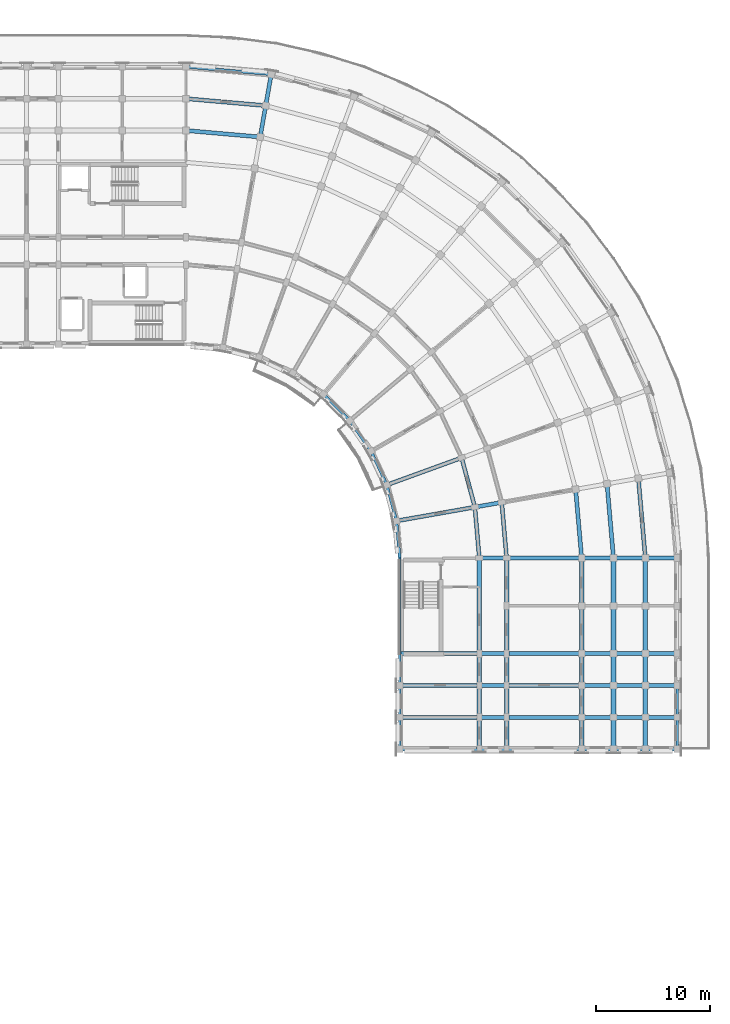
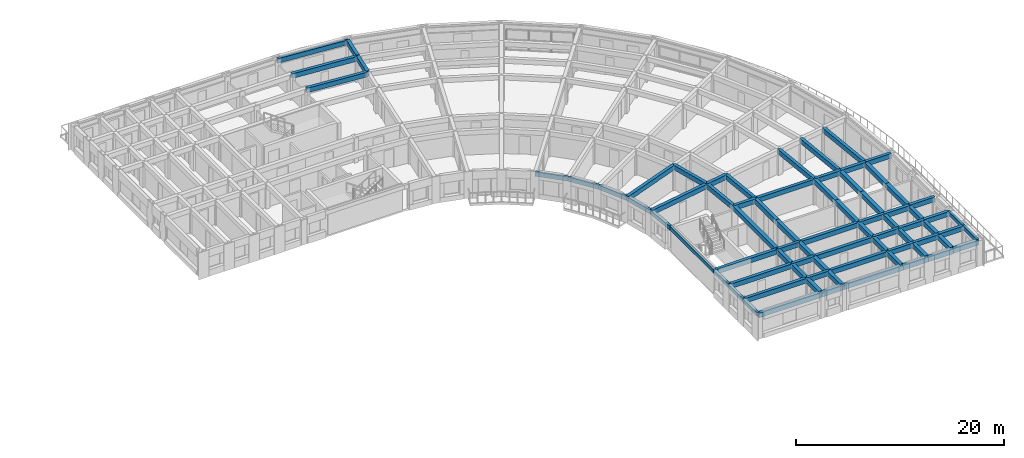
# One storey, part 9 of 53: 78 beams.
"""IFC4 building model written with IfcOpenShell, lengths in metres."""

from ifc_helpers import new_model, si_unit, direction, frame, origin, origin_2d, place, context, subcontext, project, spatial, rectangle, extrude, material, material_profile, profile_set, type_object, element, save


model = new_model("IFC4")

# Units and contexts
model_context = context("Model", 3, precision=1e-05, world=origin(), true_north=direction((0.0, 1.0)))
body_context = subcontext(model_context, "Body", "Model", "MODEL_VIEW")
ifc_project = project(units=[si_unit("LENGTHUNIT", "METRE"), si_unit("AREAUNIT", "SQUARE_METRE"), si_unit("VOLUMEUNIT", "CUBIC_METRE"), si_unit("PLANEANGLEUNIT", "RADIAN"), si_unit("MASSUNIT", "GRAM", prefix="KILO")], contexts=[model_context])

# Site, building, storey
site_placement = place(None, origin())
site = spatial("IfcSite", under=ifc_project, at=site_placement, CompositionType="ELEMENT")
building_placement = place(site_placement, origin())
building = spatial("IfcBuilding", under=site, at=building_placement, Name="Kiranvali Square Residences", CompositionType="ELEMENT")
storey_placement = place(building_placement, frame((0.0, 0.0, 30.75)))
storey = spatial("IfcBuildingStorey", under=building, at=storey_placement, Name="L09", CompositionType="ELEMENT", Elevation=30.75)

# Beams
ifc_material_1 = material(Name="Concrete M40 (40 MPa)", Category="concrete")
ifc_material_profile_1 = material_profile(ifc_material_1, rectangle(XDim=0.35009765625, YDim=0.550048828125, at=origin_2d()), Name="RC 350x550")
ifc_profile_set_1 = profile_set([ifc_material_profile_1], Name="Concrete M40 (40 MPa)")
beam_type_1 = type_object("IfcBeamType", Name="BM-M40-350x550", PredefinedType="BEAM", material=ifc_profile_set_1)
beam_1_placement = place(storey_placement, frame((119.800048828125, 125.39990234375, 2.655029296875), z_axis=(0.996196991902, -0.0871295204, 0.0), x_axis=(0.0871295204, 0.996196991902, 0.0)))
element("IfcBeam", 1, at=beam_1_placement, inside=storey, type_object=beam_type_1, Name="L09 beam BM-B-L09-C00-R4", PredefinedType="BEAM", context=body_context, shape_type="SweptSolid", body=[
    extrude(rectangle(XDim=0.35009765625, YDim=0.550048828125, at=origin_2d()), origin(), (0.0, 0.0, 1.0), 6.553955078125),
])
beam_2_placement = place(storey_placement, frame((119.800048828125, 128.199951171875, 2.655029296875), z_axis=(0.996194658198, -0.087156198737, 0.0), x_axis=(0.087156198737, 0.996194658198, 0.0)))
element("IfcBeam", 2, at=beam_2_placement, inside=storey, type_object=beam_type_1, Name="L09 beam BM-B-L09-C00-R5", PredefinedType="BEAM", context=body_context, shape_type="SweptSolid", body=[
    extrude(rectangle(XDim=0.35009765625, YDim=0.550048828125, at=origin_2d()), origin(), (0.0, 0.0, 1.0), 7.042236328125),
])
beam_3_placement = place(storey_placement, frame((144.044189453125, 96.6240234375, 2.655029296875), z_axis=(0.258787642463, -0.965934240054, 0.0), x_axis=(0.965934240054, 0.258787642463, 0.0)))
element("IfcBeam", 3, at=beam_3_placement, inside=storey, type_object=beam_type_1, Name="L09 beam BM-B-L09-C07-R1", PredefinedType="BEAM", context=body_context, shape_type="SweptSolid", body=[
    extrude(rectangle(XDim=0.35009765625, YDim=0.550048828125, at=origin_2d()), origin(), (0.0, 0.0, 1.0), 4.497314453125),
])
beam_4_placement = place(storey_placement, frame((145.2080078125, 92.280029296875, 2.655029296875), z_axis=(0.087187153726, -0.996191949488, 0.0), x_axis=(0.996191949488, 0.087187153726, 0.0)))
element("IfcBeam", 4, at=beam_4_placement, inside=storey, type_object=beam_type_1, Name="L09 beam BM-B-L09-C08-R1", PredefinedType="BEAM", context=body_context, shape_type="SweptSolid", body=[
    extrude(rectangle(XDim=0.35009765625, YDim=0.550048828125, at=origin_2d()), origin(), (0.0, 0.0, 1.0), 4.4970703125),
])
beam_5_placement = place(storey_placement, frame((147.571533203125, 92.69677734375, 2.655029296875), z_axis=(0.087167566415, -0.996193663584, 0.0), x_axis=(0.996193663584, 0.087167566415, 0.0)))
element("IfcBeam", 5, at=beam_5_placement, inside=storey, type_object=beam_type_1, Name="L09 beam BM-B-L09-C08-R2", PredefinedType="BEAM", context=body_context, shape_type="SweptSolid", body=[
    extrude(rectangle(XDim=0.35009765625, YDim=0.550048828125, at=origin_2d()), origin(), (0.0, 0.0, 1.0), 4.91552734375),
])
beam_6_placement = place(storey_placement, frame((154.0712890625, 93.843017578125, 2.655029296875), z_axis=(0.087174938512, -0.996193018494, 0.0), x_axis=(0.996193018494, 0.087174938512, 0.0)))
element("IfcBeam", 6, at=beam_6_placement, inside=storey, type_object=beam_type_1, Name="L09 beam BM-B-L09-C08-R3", PredefinedType="BEAM", context=body_context, shape_type="SweptSolid", body=[
    extrude(rectangle(XDim=0.35009765625, YDim=0.550048828125, at=origin_2d()), origin(), (0.0, 0.0, 1.0), 6.066162109375),
])
beam_7_placement = place(storey_placement, frame((156.828857421875, 94.3291015625, 2.655029296875), z_axis=(0.0871295204, -0.996196991902, 0.0), x_axis=(0.996196991902, 0.0871295204, 0.0)))
element("IfcBeam", 7, at=beam_7_placement, inside=storey, type_object=beam_type_1, Name="L09 beam BM-B-L09-C08-R4", PredefinedType="BEAM", context=body_context, shape_type="SweptSolid", body=[
    extrude(rectangle(XDim=0.35009765625, YDim=0.550048828125, at=origin_2d()), origin(), (0.0, 0.0, 1.0), 6.553955078125),
])
beam_8_placement = place(storey_placement, frame((159.586181640625, 94.8154296875, 2.655029296875), z_axis=(0.087156198737, -0.996194658198, 0.0), x_axis=(0.996194658198, 0.087156198737, 0.0)))
element("IfcBeam", 8, at=beam_8_placement, inside=storey, type_object=beam_type_1, Name="L09 beam BM-B-L09-C08-R5", PredefinedType="BEAM", context=body_context, shape_type="SweptSolid", body=[
    extrude(rectangle(XDim=0.35009765625, YDim=0.550048828125, at=origin_2d()), origin(), (0.0, 0.0, 1.0), 7.042236328125),
])
beam_9_placement = place(storey_placement, frame((126.3291015625, 124.828857421875, 2.655029296875), z_axis=(0.173695795656, 0.984799355489, 0.0), x_axis=(-0.984799355489, 0.173695795656, 0.0)))
element("IfcBeam", 9, at=beam_9_placement, inside=storey, type_object=beam_type_1, Name="L09 beam BM-B-L09-RAD01-45", PredefinedType="BEAM", context=body_context, shape_type="SweptSolid", body=[
    extrude(rectangle(XDim=0.35009765625, YDim=0.550048828125, at=origin_2d()), origin(), (0.0, 0.0, 1.0), 2.7998046875),
])
beam_10_placement = place(storey_placement, frame((126.8154296875, 127.586181640625, 2.695068359375), z_axis=(0.173596320392, 0.984816895441, 0.0), x_axis=(-0.984816895441, 0.173596320392, 0.0)))
element("IfcBeam", 10, at=beam_10_placement, inside=storey, type_object=beam_type_1, Name="L09 beam BM-B-L09-RAD01-56", PredefinedType="BEAM", context=body_context, shape_type="SweptSolid", body=[
    extrude(rectangle(XDim=0.35009765625, YDim=0.550048828125, at=origin_2d()), origin(), (0.0, 0.0, 1.0), 2.800048828125),
])
beam_11_placement = place(storey_placement, frame((137.46630859375, 94.22998046875, 2.655029296875), z_axis=(0.939697665127, 0.342006283793, 0.0), x_axis=(-0.342006283793, 0.939697665127, 0.0)))
element("IfcBeam", 11, at=beam_11_placement, inside=storey, type_object=beam_type_1, Name="L09 beam BM-B-L09-RAD07-01", PredefinedType="BEAM", context=body_context, shape_type="SweptSolid", body=[
    extrude(rectangle(XDim=0.35009765625, YDim=0.550048828125, at=origin_2d()), origin(), (0.0, 0.0, 1.0), 7.0),
])
beam_12_placement = place(storey_placement, frame((138.314453125, 91.064697265625, 2.655029296875), z_axis=(0.984812337125, 0.173622177865, 0.0), x_axis=(-0.173622177865, 0.984812337125, 0.0)))
element("IfcBeam", 12, at=beam_12_placement, inside=storey, type_object=beam_type_1, Name="L09 beam BM-B-L09-RAD08-01", PredefinedType="BEAM", context=body_context, shape_type="SweptSolid", body=[
    extrude(rectangle(XDim=0.35009765625, YDim=0.550048828125, at=origin_2d()), origin(), (0.0, 0.0, 1.0), 6.999755859375),
])
for number, where, z_axis, x_axis, name in (
    (13, (145.2080078125, 92.280029296875, 2.655029296875), (0.984808127031, 0.173646056486, 0.0), (-0.173646056486, 0.984808127031, 0.0), "L09 beam BM-B-L09-RAD08-12"),
    (14, (145.60009765625, 87.800048828125, 2.655029296875), (1.0, 0.0, 0.0), (0.0, 1.0, 0.0), "L09 beam BM-B-L09-A2T0-12"),
):
    element("IfcBeam", number, at=place(storey_placement, frame(where, z_axis=z_axis, x_axis=x_axis)), inside=storey, type_object=beam_type_1, Name=name, PredefinedType="BEAM", context=body_context, shape_type="SweptSolid", body=[
        extrude(rectangle(XDim=0.35009765625, YDim=0.550048828125, at=origin_2d()), origin(), (0.0, 0.0, 1.0), 2.39990234375),
    ])
beam_13_placement = place(storey_placement, frame((148.0, 87.800048828125, 2.655029296875), z_axis=(1.0, 0.0, 0.0), x_axis=(0.0, 1.0, 0.0)))
element("IfcBeam", 15, at=beam_13_placement, inside=storey, type_object=beam_type_1, Name="L09 beam BM-B-L09-A2T0-23", PredefinedType="BEAM", context=body_context, shape_type="SweptSolid", body=[
    extrude(rectangle(XDim=0.35009765625, YDim=0.550048828125, at=origin_2d()), origin(), (0.0, 0.0, 1.0), 6.60009765625),
])
beam_14_placement = place(storey_placement, frame((154.60009765625, 87.800048828125, 2.655029296875), z_axis=(1.0, 0.0, 0.0), x_axis=(0.0, 1.0, 0.0)))
element("IfcBeam", 16, at=beam_14_placement, inside=storey, type_object=beam_type_1, Name="L09 beam BM-B-L09-A2T0-34", PredefinedType="BEAM", context=body_context, shape_type="SweptSolid", body=[
    extrude(rectangle(XDim=0.35009765625, YDim=0.550048828125, at=origin_2d()), origin(), (0.0, 0.0, 1.0), 2.7998046875),
])
for number, where, z_axis, x_axis, name in (
    (17, (157.39990234375, 87.800048828125, 2.655029296875), (1.0, 0.0, 0.0), (0.0, 1.0, 0.0), "L09 beam BM-B-L09-A2T0-45"),
    (18, (160.199951171875, 87.800048828125, 2.695068359375), (1.0, 0.0, 0.0), (0.0, 1.0, 0.0), "L09 beam BM-B-L09-A2T0-56"),
):
    element("IfcBeam", number, at=place(storey_placement, frame(where, z_axis=z_axis, x_axis=x_axis)), inside=storey, type_object=beam_type_1, Name=name, PredefinedType="BEAM", context=body_context, shape_type="SweptSolid", body=[
        extrude(rectangle(XDim=0.35009765625, YDim=0.550048828125, at=origin_2d()), origin(), (0.0, 0.0, 1.0), 2.800048828125),
    ])
beam_15_placement = place(storey_placement, frame((138.60009765625, 79.39990234375, 2.655029296875), z_axis=(1.0, 0.0, 0.0), x_axis=(0.0, 1.0, 0.0)))
element("IfcBeam", 19, at=beam_15_placement, inside=storey, type_object=beam_type_1, Name="L09 beam BM-B-L09-A2T1-01", PredefinedType="BEAM", context=body_context, shape_type="SweptSolid", body=[
    extrude(rectangle(XDim=0.35009765625, YDim=0.550048828125, at=origin_2d()), origin(), (0.0, 0.0, 1.0), 7.0),
])
beam_16_placement = place(storey_placement, frame((145.60009765625, 79.39990234375, 2.655029296875), z_axis=(1.0, 0.0, 0.0), x_axis=(0.0, 1.0, 0.0)))
element("IfcBeam", 20, at=beam_16_placement, inside=storey, type_object=beam_type_1, Name="L09 beam BM-B-L09-A2T1-12", PredefinedType="BEAM", context=body_context, shape_type="SweptSolid", body=[
    extrude(rectangle(XDim=0.35009765625, YDim=0.550048828125, at=origin_2d()), origin(), (0.0, 0.0, 1.0), 2.39990234375),
])
beam_17_placement = place(storey_placement, frame((148.0, 79.39990234375, 2.655029296875), z_axis=(1.0, 0.0, 0.0), x_axis=(0.0, 1.0, 0.0)))
element("IfcBeam", 21, at=beam_17_placement, inside=storey, type_object=beam_type_1, Name="L09 beam BM-B-L09-A2T1-23", PredefinedType="BEAM", context=body_context, shape_type="SweptSolid", body=[
    extrude(rectangle(XDim=0.35009765625, YDim=0.550048828125, at=origin_2d()), origin(), (0.0, 0.0, 1.0), 6.60009765625),
])
beam_18_placement = place(storey_placement, frame((154.60009765625, 79.39990234375, 2.655029296875), z_axis=(1.0, 0.0, 0.0), x_axis=(0.0, 1.0, 0.0)))
element("IfcBeam", 22, at=beam_18_placement, inside=storey, type_object=beam_type_1, Name="L09 beam BM-B-L09-A2T1-34", PredefinedType="BEAM", context=body_context, shape_type="SweptSolid", body=[
    extrude(rectangle(XDim=0.35009765625, YDim=0.550048828125, at=origin_2d()), origin(), (0.0, 0.0, 1.0), 2.7998046875),
])
for number, where, z_axis, x_axis, name in (
    (23, (157.39990234375, 79.39990234375, 2.655029296875), (1.0, 0.0, 0.0), (0.0, 1.0, 0.0), "L09 beam BM-B-L09-A2T1-45"),
    (24, (160.199951171875, 79.39990234375, 2.695068359375), (1.0, 0.0, 0.0), (0.0, 1.0, 0.0), "L09 beam BM-B-L09-A2T1-56"),
):
    element("IfcBeam", number, at=place(storey_placement, frame(where, z_axis=z_axis, x_axis=x_axis)), inside=storey, type_object=beam_type_1, Name=name, PredefinedType="BEAM", context=body_context, shape_type="SweptSolid", body=[
        extrude(rectangle(XDim=0.35009765625, YDim=0.550048828125, at=origin_2d()), origin(), (0.0, 0.0, 1.0), 2.800048828125),
    ])
beam_19_placement = place(storey_placement, frame((138.60009765625, 76.60009765625, 2.655029296875), z_axis=(1.0, 0.0, 0.0), x_axis=(0.0, 1.0, 0.0)))
element("IfcBeam", 25, at=beam_19_placement, inside=storey, type_object=beam_type_1, Name="L09 beam BM-B-L09-A2T2-01", PredefinedType="BEAM", context=body_context, shape_type="SweptSolid", body=[
    extrude(rectangle(XDim=0.35009765625, YDim=0.550048828125, at=origin_2d()), origin(), (0.0, 0.0, 1.0), 7.0),
])
beam_20_placement = place(storey_placement, frame((145.60009765625, 76.60009765625, 2.655029296875), z_axis=(1.0, 0.0, 0.0), x_axis=(0.0, 1.0, 0.0)))
element("IfcBeam", 26, at=beam_20_placement, inside=storey, type_object=beam_type_1, Name="L09 beam BM-B-L09-A2T2-12", PredefinedType="BEAM", context=body_context, shape_type="SweptSolid", body=[
    extrude(rectangle(XDim=0.35009765625, YDim=0.550048828125, at=origin_2d()), origin(), (0.0, 0.0, 1.0), 2.39990234375),
])
beam_21_placement = place(storey_placement, frame((148.0, 76.60009765625, 2.655029296875), z_axis=(1.0, 0.0, 0.0), x_axis=(0.0, 1.0, 0.0)))
element("IfcBeam", 27, at=beam_21_placement, inside=storey, type_object=beam_type_1, Name="L09 beam BM-B-L09-A2T2-23", PredefinedType="BEAM", context=body_context, shape_type="SweptSolid", body=[
    extrude(rectangle(XDim=0.35009765625, YDim=0.550048828125, at=origin_2d()), origin(), (0.0, 0.0, 1.0), 6.60009765625),
])
beam_22_placement = place(storey_placement, frame((154.60009765625, 76.60009765625, 2.655029296875), z_axis=(1.0, 0.0, 0.0), x_axis=(0.0, 1.0, 0.0)))
element("IfcBeam", 28, at=beam_22_placement, inside=storey, type_object=beam_type_1, Name="L09 beam BM-B-L09-A2T2-34", PredefinedType="BEAM", context=body_context, shape_type="SweptSolid", body=[
    extrude(rectangle(XDim=0.35009765625, YDim=0.550048828125, at=origin_2d()), origin(), (0.0, 0.0, 1.0), 2.7998046875),
])
for number, where, z_axis, x_axis, name in (
    (29, (157.39990234375, 76.60009765625, 2.655029296875), (1.0, 0.0, 0.0), (0.0, 1.0, 0.0), "L09 beam BM-B-L09-A2T2-45"),
    (30, (160.199951171875, 76.60009765625, 2.695068359375), (1.0, 0.0, 0.0), (0.0, 1.0, 0.0), "L09 beam BM-B-L09-A2T2-56"),
):
    element("IfcBeam", number, at=place(storey_placement, frame(where, z_axis=z_axis, x_axis=x_axis)), inside=storey, type_object=beam_type_1, Name=name, PredefinedType="BEAM", context=body_context, shape_type="SweptSolid", body=[
        extrude(rectangle(XDim=0.35009765625, YDim=0.550048828125, at=origin_2d()), origin(), (0.0, 0.0, 1.0), 2.800048828125),
    ])
beam_23_placement = place(storey_placement, frame((138.60009765625, 73.800048828125, 2.655029296875), z_axis=(1.0, 0.0, 0.0), x_axis=(0.0, 1.0, 0.0)))
element("IfcBeam", 31, at=beam_23_placement, inside=storey, type_object=beam_type_1, Name="L09 beam BM-B-L09-A2T3-01", PredefinedType="BEAM", context=body_context, shape_type="SweptSolid", body=[
    extrude(rectangle(XDim=0.35009765625, YDim=0.550048828125, at=origin_2d()), origin(), (0.0, 0.0, 1.0), 7.0),
])
beam_24_placement = place(storey_placement, frame((145.60009765625, 73.800048828125, 2.655029296875), z_axis=(1.0, 0.0, 0.0), x_axis=(0.0, 1.0, 0.0)))
element("IfcBeam", 32, at=beam_24_placement, inside=storey, type_object=beam_type_1, Name="L09 beam BM-B-L09-A2T3-12", PredefinedType="BEAM", context=body_context, shape_type="SweptSolid", body=[
    extrude(rectangle(XDim=0.35009765625, YDim=0.550048828125, at=origin_2d()), origin(), (0.0, 0.0, 1.0), 2.39990234375),
])
beam_25_placement = place(storey_placement, frame((148.0, 73.800048828125, 2.655029296875), z_axis=(1.0, 0.0, 0.0), x_axis=(0.0, 1.0, 0.0)))
element("IfcBeam", 33, at=beam_25_placement, inside=storey, type_object=beam_type_1, Name="L09 beam BM-B-L09-A2T3-23", PredefinedType="BEAM", context=body_context, shape_type="SweptSolid", body=[
    extrude(rectangle(XDim=0.35009765625, YDim=0.550048828125, at=origin_2d()), origin(), (0.0, 0.0, 1.0), 6.60009765625),
])
beam_26_placement = place(storey_placement, frame((154.60009765625, 73.800048828125, 2.655029296875), z_axis=(1.0, 0.0, 0.0), x_axis=(0.0, 1.0, 0.0)))
element("IfcBeam", 34, at=beam_26_placement, inside=storey, type_object=beam_type_1, Name="L09 beam BM-B-L09-A2T3-34", PredefinedType="BEAM", context=body_context, shape_type="SweptSolid", body=[
    extrude(rectangle(XDim=0.35009765625, YDim=0.550048828125, at=origin_2d()), origin(), (0.0, 0.0, 1.0), 2.7998046875),
])
for number, where, z_axis, x_axis, name in (
    (35, (157.39990234375, 73.800048828125, 2.655029296875), (1.0, 0.0, 0.0), (0.0, 1.0, 0.0), "L09 beam BM-B-L09-A2T3-45"),
    (36, (160.199951171875, 73.800048828125, 2.695068359375), (1.0, 0.0, 0.0), (0.0, 1.0, 0.0), "L09 beam BM-B-L09-A2T3-56"),
):
    element("IfcBeam", number, at=place(storey_placement, frame(where, z_axis=z_axis, x_axis=x_axis)), inside=storey, type_object=beam_type_1, Name=name, PredefinedType="BEAM", context=body_context, shape_type="SweptSolid", body=[
        extrude(rectangle(XDim=0.35009765625, YDim=0.550048828125, at=origin_2d()), origin(), (0.0, 0.0, 1.0), 2.800048828125),
    ])
beam_27_placement = place(storey_placement, frame((138.60009765625, 71.0, 2.655029296875), z_axis=(1.0, 0.0, 0.0), x_axis=(0.0, 1.0, 0.0)))
element("IfcBeam", 37, at=beam_27_placement, inside=storey, type_object=beam_type_1, Name="L09 beam BM-B-L09-A2T4-01", PredefinedType="BEAM", context=body_context, shape_type="SweptSolid", body=[
    extrude(rectangle(XDim=0.35009765625, YDim=0.550048828125, at=origin_2d()), origin(), (0.0, 0.0, 1.0), 7.0),
])
beam_28_placement = place(storey_placement, frame((145.60009765625, 71.0, 2.655029296875), z_axis=(1.0, 0.0, 0.0), x_axis=(0.0, 1.0, 0.0)))
element("IfcBeam", 38, at=beam_28_placement, inside=storey, type_object=beam_type_1, Name="L09 beam BM-B-L09-A2T4-12", PredefinedType="BEAM", context=body_context, shape_type="SweptSolid", body=[
    extrude(rectangle(XDim=0.35009765625, YDim=0.550048828125, at=origin_2d()), origin(), (0.0, 0.0, 1.0), 2.39990234375),
])
beam_29_placement = place(storey_placement, frame((148.0, 71.0, 2.655029296875), z_axis=(1.0, 0.0, 0.0), x_axis=(0.0, 1.0, 0.0)))
element("IfcBeam", 39, at=beam_29_placement, inside=storey, type_object=beam_type_1, Name="L09 beam BM-B-L09-A2T4-23", PredefinedType="BEAM", context=body_context, shape_type="SweptSolid", body=[
    extrude(rectangle(XDim=0.35009765625, YDim=0.550048828125, at=origin_2d()), origin(), (0.0, 0.0, 1.0), 6.60009765625),
])
beam_30_placement = place(storey_placement, frame((154.60009765625, 71.0, 2.655029296875), z_axis=(1.0, 0.0, 0.0), x_axis=(0.0, 1.0, 0.0)))
element("IfcBeam", 40, at=beam_30_placement, inside=storey, type_object=beam_type_1, Name="L09 beam BM-B-L09-A2T4-34", PredefinedType="BEAM", context=body_context, shape_type="SweptSolid", body=[
    extrude(rectangle(XDim=0.35009765625, YDim=0.550048828125, at=origin_2d()), origin(), (0.0, 0.0, 1.0), 2.7998046875),
])
for number, where, z_axis, x_axis, name in (
    (41, (157.39990234375, 71.0, 2.655029296875), (1.0, 0.0, 0.0), (0.0, 1.0, 0.0), "L09 beam BM-B-L09-A2T4-45"),
    (42, (160.199951171875, 71.0, 2.695068359375), (1.0, 0.0, 0.0), (0.0, 1.0, 0.0), "L09 beam BM-B-L09-A2T4-56"),
):
    element("IfcBeam", number, at=place(storey_placement, frame(where, z_axis=z_axis, x_axis=x_axis)), inside=storey, type_object=beam_type_1, Name=name, PredefinedType="BEAM", context=body_context, shape_type="SweptSolid", body=[
        extrude(rectangle(XDim=0.35009765625, YDim=0.550048828125, at=origin_2d()), origin(), (0.0, 0.0, 1.0), 2.800048828125),
    ])
ifc_material_2 = material(Name="Concrete M45 (45 MPa)", Category="concrete")
ifc_material_profile_2 = material_profile(ifc_material_2, rectangle(XDim=0.39990234375, YDim=0.550048828125, at=origin_2d()), Name="RC 400x550")
ifc_profile_set_2 = profile_set([ifc_material_profile_2], Name="Concrete M45 (45 MPa)")
beam_type_2 = type_object("IfcBeamType", Name="BM-M45-400x550", PredefinedType="BEAM", material=ifc_profile_set_2)
beam_31_placement = place(storey_placement, frame((145.60009765625, 87.800048828125, 2.655029296875), z_axis=(0.0, -1.0, 0.0), x_axis=(1.0, 0.0, 0.0)))
element("IfcBeam", 43, at=beam_31_placement, inside=storey, type_object=beam_type_2, Name="L09 beam BM-B-L09-A2V0-R1", PredefinedType="BEAM", context=body_context, shape_type="SweptSolid", body=[
    extrude(rectangle(XDim=0.39990234375, YDim=0.550048828125, at=origin_2d()), origin(), (0.0, 0.0, 1.0), 8.400146484375),
])
beam_32_placement = place(storey_placement, frame((145.60009765625, 79.39990234375, 2.655029296875), z_axis=(0.0, -1.0, 0.0), x_axis=(1.0, 0.0, 0.0)))
element("IfcBeam", 44, at=beam_32_placement, inside=storey, type_object=beam_type_2, Name="L09 beam BM-B-L09-A2V1-R1", PredefinedType="BEAM", context=body_context, shape_type="SweptSolid", body=[
    extrude(rectangle(XDim=0.39990234375, YDim=0.550048828125, at=origin_2d()), origin(), (0.0, 0.0, 1.0), 2.7998046875),
])
for number, where, z_axis, x_axis, name in (
    (45, (145.60009765625, 76.60009765625, 2.655029296875), (0.0, -1.0, 0.0), (1.0, 0.0, 0.0), "L09 beam BM-B-L09-A2V2-R1"),
    (46, (145.60009765625, 73.800048828125, 2.655029296875), (0.0, -1.0, 0.0), (1.0, 0.0, 0.0), "L09 beam BM-B-L09-A2V3-R1"),
):
    element("IfcBeam", number, at=place(storey_placement, frame(where, z_axis=z_axis, x_axis=x_axis)), inside=storey, type_object=beam_type_2, Name=name, PredefinedType="BEAM", context=body_context, shape_type="SweptSolid", body=[
        extrude(rectangle(XDim=0.39990234375, YDim=0.550048828125, at=origin_2d()), origin(), (0.0, 0.0, 1.0), 2.800048828125),
    ])
beam_33_placement = place(storey_placement, frame((148.0, 87.800048828125, 2.655029296875), z_axis=(0.0, -1.0, 0.0), x_axis=(1.0, 0.0, 0.0)))
element("IfcBeam", 47, at=beam_33_placement, inside=storey, type_object=beam_type_2, Name="L09 beam BM-B-L09-A2V0-R2", PredefinedType="BEAM", context=body_context, shape_type="SweptSolid", body=[
    extrude(rectangle(XDim=0.39990234375, YDim=0.550048828125, at=origin_2d()), origin(), (0.0, 0.0, 1.0), 4.199951171875),
])
beam_34_placement = place(storey_placement, frame((148.0, 83.60009765625, 2.655029296875), z_axis=(0.0, -1.0, 0.0), x_axis=(1.0, 0.0, 0.0)))
element("IfcBeam", 48, at=beam_34_placement, inside=storey, type_object=beam_type_2, Name="L09 beam BM-B-L09-A2V1-R2", PredefinedType="BEAM", context=body_context, shape_type="SweptSolid", body=[
    extrude(rectangle(XDim=0.39990234375, YDim=0.550048828125, at=origin_2d()), origin(), (0.0, 0.0, 1.0), 4.2001953125),
])
beam_35_placement = place(storey_placement, frame((148.0, 79.39990234375, 2.655029296875), z_axis=(0.0, -1.0, 0.0), x_axis=(1.0, 0.0, 0.0)))
element("IfcBeam", 49, at=beam_35_placement, inside=storey, type_object=beam_type_2, Name="L09 beam BM-B-L09-A2V2-R2", PredefinedType="BEAM", context=body_context, shape_type="SweptSolid", body=[
    extrude(rectangle(XDim=0.39990234375, YDim=0.550048828125, at=origin_2d()), origin(), (0.0, 0.0, 1.0), 2.7998046875),
])
for number, where, z_axis, x_axis, name in (
    (50, (148.0, 76.60009765625, 2.655029296875), (0.0, -1.0, 0.0), (1.0, 0.0, 0.0), "L09 beam BM-B-L09-A2V3-R2"),
    (51, (148.0, 73.800048828125, 2.655029296875), (0.0, -1.0, 0.0), (1.0, 0.0, 0.0), "L09 beam BM-B-L09-A2V4-R2"),
):
    element("IfcBeam", number, at=place(storey_placement, frame(where, z_axis=z_axis, x_axis=x_axis)), inside=storey, type_object=beam_type_2, Name=name, PredefinedType="BEAM", context=body_context, shape_type="SweptSolid", body=[
        extrude(rectangle(XDim=0.39990234375, YDim=0.550048828125, at=origin_2d()), origin(), (0.0, 0.0, 1.0), 2.800048828125),
    ])
beam_36_placement = place(storey_placement, frame((154.60009765625, 87.800048828125, 2.655029296875), z_axis=(0.0, -1.0, 0.0), x_axis=(1.0, 0.0, 0.0)))
element("IfcBeam", 52, at=beam_36_placement, inside=storey, type_object=beam_type_2, Name="L09 beam BM-B-L09-A2V0-R3", PredefinedType="BEAM", context=body_context, shape_type="SweptSolid", body=[
    extrude(rectangle(XDim=0.39990234375, YDim=0.550048828125, at=origin_2d()), origin(), (0.0, 0.0, 1.0), 4.199951171875),
])
beam_37_placement = place(storey_placement, frame((154.60009765625, 83.60009765625, 2.655029296875), z_axis=(0.0, -1.0, 0.0), x_axis=(1.0, 0.0, 0.0)))
element("IfcBeam", 53, at=beam_37_placement, inside=storey, type_object=beam_type_2, Name="L09 beam BM-B-L09-A2V1-R3", PredefinedType="BEAM", context=body_context, shape_type="SweptSolid", body=[
    extrude(rectangle(XDim=0.39990234375, YDim=0.550048828125, at=origin_2d()), origin(), (0.0, 0.0, 1.0), 4.2001953125),
])
beam_38_placement = place(storey_placement, frame((154.60009765625, 79.39990234375, 2.655029296875), z_axis=(0.0, -1.0, 0.0), x_axis=(1.0, 0.0, 0.0)))
element("IfcBeam", 54, at=beam_38_placement, inside=storey, type_object=beam_type_2, Name="L09 beam BM-B-L09-A2V2-R3", PredefinedType="BEAM", context=body_context, shape_type="SweptSolid", body=[
    extrude(rectangle(XDim=0.39990234375, YDim=0.550048828125, at=origin_2d()), origin(), (0.0, 0.0, 1.0), 2.7998046875),
])
for number, where, z_axis, x_axis, name in (
    (55, (154.60009765625, 76.60009765625, 2.655029296875), (0.0, -1.0, 0.0), (1.0, 0.0, 0.0), "L09 beam BM-B-L09-A2V3-R3"),
    (56, (154.60009765625, 73.800048828125, 2.655029296875), (0.0, -1.0, 0.0), (1.0, 0.0, 0.0), "L09 beam BM-B-L09-A2V4-R3"),
):
    element("IfcBeam", number, at=place(storey_placement, frame(where, z_axis=z_axis, x_axis=x_axis)), inside=storey, type_object=beam_type_2, Name=name, PredefinedType="BEAM", context=body_context, shape_type="SweptSolid", body=[
        extrude(rectangle(XDim=0.39990234375, YDim=0.550048828125, at=origin_2d()), origin(), (0.0, 0.0, 1.0), 2.800048828125),
    ])
beam_39_placement = place(storey_placement, frame((157.39990234375, 87.800048828125, 2.655029296875), z_axis=(0.0, -1.0, 0.0), x_axis=(1.0, 0.0, 0.0)))
element("IfcBeam", 57, at=beam_39_placement, inside=storey, type_object=beam_type_2, Name="L09 beam BM-B-L09-A2V0-R4", PredefinedType="BEAM", context=body_context, shape_type="SweptSolid", body=[
    extrude(rectangle(XDim=0.39990234375, YDim=0.550048828125, at=origin_2d()), origin(), (0.0, 0.0, 1.0), 4.199951171875),
])
beam_40_placement = place(storey_placement, frame((157.39990234375, 83.60009765625, 2.655029296875), z_axis=(0.0, -1.0, 0.0), x_axis=(1.0, 0.0, 0.0)))
element("IfcBeam", 58, at=beam_40_placement, inside=storey, type_object=beam_type_2, Name="L09 beam BM-B-L09-A2V1-R4", PredefinedType="BEAM", context=body_context, shape_type="SweptSolid", body=[
    extrude(rectangle(XDim=0.39990234375, YDim=0.550048828125, at=origin_2d()), origin(), (0.0, 0.0, 1.0), 4.2001953125),
])
beam_41_placement = place(storey_placement, frame((157.39990234375, 79.39990234375, 2.655029296875), z_axis=(0.0, -1.0, 0.0), x_axis=(1.0, 0.0, 0.0)))
element("IfcBeam", 59, at=beam_41_placement, inside=storey, type_object=beam_type_2, Name="L09 beam BM-B-L09-A2V2-R4", PredefinedType="BEAM", context=body_context, shape_type="SweptSolid", body=[
    extrude(rectangle(XDim=0.39990234375, YDim=0.550048828125, at=origin_2d()), origin(), (0.0, 0.0, 1.0), 2.7998046875),
])
for number, where, z_axis, x_axis, name in (
    (60, (157.39990234375, 76.60009765625, 2.655029296875), (0.0, -1.0, 0.0), (1.0, 0.0, 0.0), "L09 beam BM-B-L09-A2V3-R4"),
    (61, (157.39990234375, 73.800048828125, 2.655029296875), (0.0, -1.0, 0.0), (1.0, 0.0, 0.0), "L09 beam BM-B-L09-A2V4-R4"),
):
    element("IfcBeam", number, at=place(storey_placement, frame(where, z_axis=z_axis, x_axis=x_axis)), inside=storey, type_object=beam_type_2, Name=name, PredefinedType="BEAM", context=body_context, shape_type="SweptSolid", body=[
        extrude(rectangle(XDim=0.39990234375, YDim=0.550048828125, at=origin_2d()), origin(), (0.0, 0.0, 1.0), 2.800048828125),
    ])
beam_42_placement = place(storey_placement, frame((160.199951171875, 87.800048828125, 2.655029296875), z_axis=(0.0, -1.0, 0.0), x_axis=(1.0, 0.0, 0.0)))
element("IfcBeam", 62, at=beam_42_placement, inside=storey, type_object=beam_type_2, Name="L09 beam BM-B-L09-A2V0-R5", PredefinedType="BEAM", context=body_context, shape_type="SweptSolid", body=[
    extrude(rectangle(XDim=0.39990234375, YDim=0.550048828125, at=origin_2d()), origin(), (0.0, 0.0, 1.0), 4.199951171875),
])
beam_43_placement = place(storey_placement, frame((160.199951171875, 83.60009765625, 2.655029296875), z_axis=(0.0, -1.0, 0.0), x_axis=(1.0, 0.0, 0.0)))
element("IfcBeam", 63, at=beam_43_placement, inside=storey, type_object=beam_type_2, Name="L09 beam BM-B-L09-A2V1-R5", PredefinedType="BEAM", context=body_context, shape_type="SweptSolid", body=[
    extrude(rectangle(XDim=0.39990234375, YDim=0.550048828125, at=origin_2d()), origin(), (0.0, 0.0, 1.0), 4.2001953125),
])
beam_44_placement = place(storey_placement, frame((160.199951171875, 79.39990234375, 2.655029296875), z_axis=(0.0, -1.0, 0.0), x_axis=(1.0, 0.0, 0.0)))
element("IfcBeam", 64, at=beam_44_placement, inside=storey, type_object=beam_type_2, Name="L09 beam BM-B-L09-A2V2-R5", PredefinedType="BEAM", context=body_context, shape_type="SweptSolid", body=[
    extrude(rectangle(XDim=0.39990234375, YDim=0.550048828125, at=origin_2d()), origin(), (0.0, 0.0, 1.0), 2.7998046875),
])
for number, where, z_axis, x_axis, name in (
    (65, (160.199951171875, 76.60009765625, 2.655029296875), (0.0, -1.0, 0.0), (1.0, 0.0, 0.0), "L09 beam BM-B-L09-A2V3-R5"),
    (66, (160.199951171875, 73.800048828125, 2.655029296875), (0.0, -1.0, 0.0), (1.0, 0.0, 0.0), "L09 beam BM-B-L09-A2V4-R5"),
):
    element("IfcBeam", number, at=place(storey_placement, frame(where, z_axis=z_axis, x_axis=x_axis)), inside=storey, type_object=beam_type_2, Name=name, PredefinedType="BEAM", context=body_context, shape_type="SweptSolid", body=[
        extrude(rectangle(XDim=0.39990234375, YDim=0.550048828125, at=origin_2d()), origin(), (0.0, 0.0, 1.0), 2.800048828125),
    ])
ifc_material_profile_3 = material_profile(ifc_material_1, rectangle(XDim=0.25, YDim=0.449951171875, at=origin_2d()), Name="RC 250x450")
ifc_profile_set_3 = profile_set([ifc_material_profile_3], Name="Concrete M40 (40 MPa)")
beam_type_3 = type_object("IfcBeamType", Name="SPN-M40-250x450", PredefinedType="SPANDREL", material=ifc_profile_set_3)
beam_45_placement = place(storey_placement, frame((138.60009765625, 87.800048828125, 2.705078125), z_axis=(0.0, -1.0, 0.0), x_axis=(1.0, 0.0, 0.0)))
element("IfcBeam", 67, at=beam_45_placement, inside=storey, type_object=beam_type_3, Name="L09 beam BM-B-L09-A2V0-R0", PredefinedType="SPANDREL", context=body_context, shape_type="SweptSolid", body=[
    extrude(rectangle(XDim=0.25, YDim=0.449951171875, at=origin_2d()), origin(), (0.0, 0.0, 1.0), 8.400146484375),
])
beam_46_placement = place(storey_placement, frame((138.60009765625, 79.39990234375, 2.705078125), z_axis=(0.0, -1.0, 0.0), x_axis=(1.0, 0.0, 0.0)))
element("IfcBeam", 68, at=beam_46_placement, inside=storey, type_object=beam_type_3, Name="L09 beam BM-B-L09-A2V1-R0", PredefinedType="SPANDREL", context=body_context, shape_type="SweptSolid", body=[
    extrude(rectangle(XDim=0.25, YDim=0.449951171875, at=origin_2d()), origin(), (0.0, 0.0, 1.0), 2.7998046875),
])
for number, where, z_axis, x_axis, name in (
    (69, (138.60009765625, 76.60009765625, 2.705078125), (0.0, -1.0, 0.0), (1.0, 0.0, 0.0), "L09 beam BM-B-L09-A2V2-R0"),
    (70, (138.60009765625, 73.800048828125, 2.705078125), (0.0, -1.0, 0.0), (1.0, 0.0, 0.0), "L09 beam BM-B-L09-A2V3-R0"),
    (71, (163.0, 76.60009765625, 2.7451171875), (0.0, -1.0, 0.0), (1.0, 0.0, 0.0), "L09 beam BM-B-L09-A2V3-R6"),
    (72, (163.0, 73.800048828125, 2.7451171875), (0.0, -1.0, 0.0), (1.0, 0.0, 0.0), "L09 beam BM-B-L09-A2V4-R6"),
):
    element("IfcBeam", number, at=place(storey_placement, frame(where, z_axis=z_axis, x_axis=x_axis)), inside=storey, type_object=beam_type_3, Name=name, PredefinedType="SPANDREL", context=body_context, shape_type="SweptSolid", body=[
        extrude(rectangle(XDim=0.25, YDim=0.449951171875, at=origin_2d()), origin(), (0.0, 0.0, 1.0), 2.800048828125),
    ])
ifc_material_profile_4 = material_profile(ifc_material_1, rectangle(XDim=0.25, YDim=0.5, at=origin_2d()), Name="RC 250x500")
ifc_profile_set_4 = profile_set([ifc_material_profile_4], Name="Concrete M40 (40 MPa)")
beam_type_4 = type_object("IfcBeamType", Name="SPN-M40-250x500", PredefinedType="SPANDREL", material=ifc_profile_set_4)
beam_47_placement = place(storey_placement, frame((131.884521484375, 102.20166015625, 2.679931640625), z_axis=(0.707106781187, -0.707106781187, 0.0), x_axis=(0.707106781187, 0.707106781187, 0.0)))
element("IfcBeam", 73, at=beam_47_placement, inside=storey, type_object=beam_type_4, Name="L09 beam BM-B-L09-C04-R0", PredefinedType="SPANDREL", context=body_context, shape_type="SweptSolid", body=[
    extrude(rectangle(XDim=0.25, YDim=0.5, at=origin_2d()), origin(), (0.0, 0.0, 1.0), 3.27685546875),
])
for number, where, z_axis, x_axis, name in (
    (74, (134.20166015625, 99.884521484375, 2.679931640625), (0.573552337269, -0.81916891812, 0.0), (0.81916891812, 0.573552337269, 0.0), "L09 beam BM-B-L09-C05-R0"),
    (75, (136.081298828125, 97.199951171875, 2.679931640625), (0.422640740585, -0.90629730464, 0.0), (0.90629730464, 0.422640740585, 0.0), "L09 beam BM-B-L09-C06-R0"),
):
    element("IfcBeam", number, at=place(storey_placement, frame(where, z_axis=z_axis, x_axis=x_axis)), inside=storey, type_object=beam_type_4, Name=name, PredefinedType="SPANDREL", context=body_context, shape_type="SweptSolid", body=[
        extrude(rectangle(XDim=0.25, YDim=0.5, at=origin_2d()), origin(), (0.0, 0.0, 1.0), 3.277099609375),
    ])
beam_48_placement = place(storey_placement, frame((137.46630859375, 94.22998046875, 2.679931640625), z_axis=(0.258821736607, -0.965925105099, 0.0), x_axis=(0.965925105099, 0.258821736607, 0.0)))
element("IfcBeam", 76, at=beam_48_placement, inside=storey, type_object=beam_type_4, Name="L09 beam BM-B-L09-C07-R0", PredefinedType="SPANDREL", context=body_context, shape_type="SweptSolid", body=[
    extrude(rectangle(XDim=0.25, YDim=0.5, at=origin_2d()), origin(), (0.0, 0.0, 1.0), 3.27685546875),
])
beam_49_placement = place(storey_placement, frame((138.314453125, 91.064697265625, 2.679931640625), z_axis=(0.087163253657, -0.996194040944, 0.0), x_axis=(0.996194040944, 0.087163253657, 0.0)))
element("IfcBeam", 77, at=beam_49_placement, inside=storey, type_object=beam_type_4, Name="L09 beam BM-B-L09-C08-R0", PredefinedType="SPANDREL", context=body_context, shape_type="SweptSolid", body=[
    extrude(rectangle(XDim=0.25, YDim=0.5, at=origin_2d()), origin(), (0.0, 0.0, 1.0), 3.277099609375),
])
ifc_material_profile_5 = material_profile(ifc_material_1, rectangle(XDim=0.25, YDim=0.550048828125, at=origin_2d()), Name="RC 250x550")
ifc_profile_set_5 = profile_set([ifc_material_profile_5], Name="Concrete M40 (40 MPa)")
beam_type_5 = type_object("IfcBeamType", Name="SPN-M40-250x550", PredefinedType="SPANDREL", material=ifc_profile_set_5)
beam_50_placement = place(storey_placement, frame((119.800048828125, 131.0, 2.695068359375), z_axis=(0.996195195417, -0.087150058103, 0.0), x_axis=(0.087150058103, 0.996195195417, 0.0)))
element("IfcBeam", 78, at=beam_50_placement, inside=storey, type_object=beam_type_5, Name="L09 beam BM-B-L09-C00-R6", PredefinedType="SPANDREL", context=body_context, shape_type="SweptSolid", body=[
    extrude(rectangle(XDim=0.25, YDim=0.550048828125, at=origin_2d()), origin(), (0.0, 0.0, 1.0), 7.530029296875),
])

save(model, "model.ifc")
